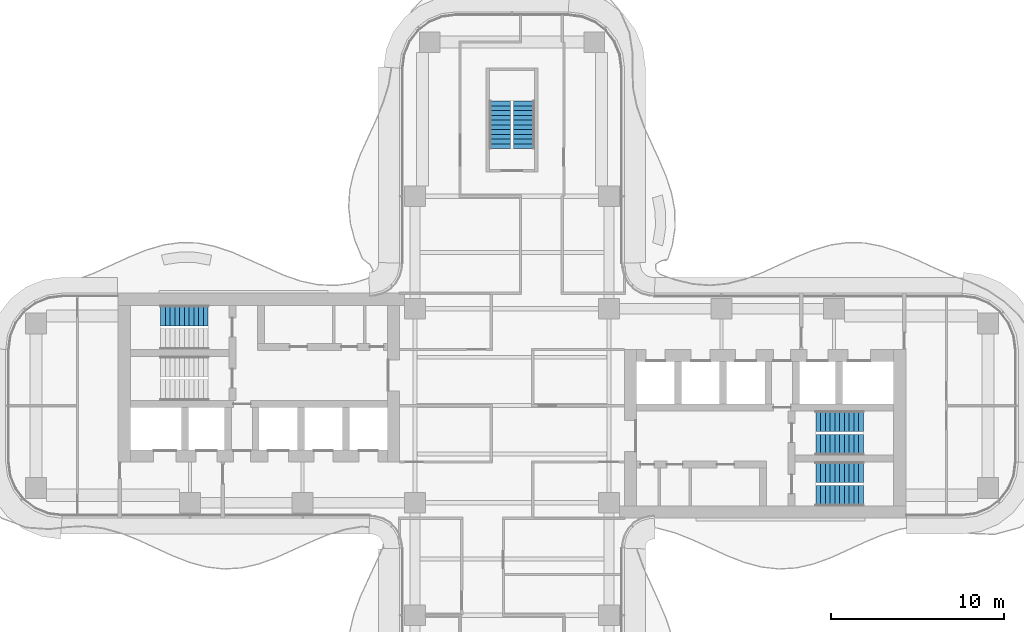
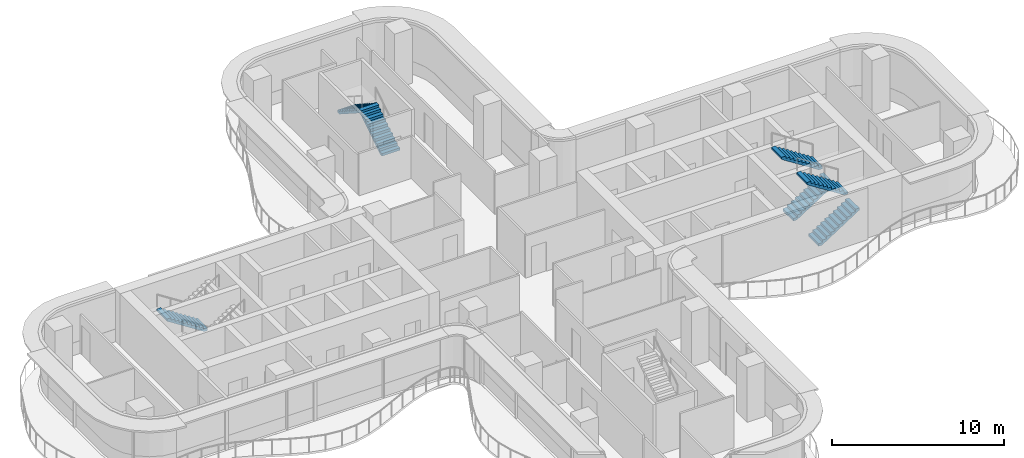
# One storey, part 16 of 18: 7 stair flights, 4 elements without a shape of their own.
"""IFC4 building model written with IfcOpenShell, lengths in metres."""

from ifc_helpers import new_model, si_unit, direction, frame, origin, place, context, subcontext, project, spatial, polyline, outline, extrude, source, transform, mapped, material, type_object, element, aggregate, save


model = new_model("IFC4")

# Units and contexts
model_context = context("Model", 3, precision=1e-05, world=origin(), true_north=direction((0.0, 1.0)))
body_context = subcontext(model_context, "Body", "Model", "MODEL_VIEW")
ifc_project = project(units=[si_unit("LENGTHUNIT", "METRE"), si_unit("AREAUNIT", "SQUARE_METRE"), si_unit("VOLUMEUNIT", "CUBIC_METRE"), si_unit("PLANEANGLEUNIT", "RADIAN"), si_unit("MASSUNIT", "GRAM", prefix="KILO")], contexts=[model_context])

# Site, building, storey
site_placement = place(None, origin())
site = spatial("IfcSite", under=ifc_project, at=site_placement, CompositionType="ELEMENT")
building_placement = place(site_placement, origin())
building = spatial("IfcBuilding", under=site, at=building_placement, Name="Trellis Farm Tower", CompositionType="ELEMENT")
storey_placement = place(building_placement, frame((0.0, 0.0, 189.300048828125)))
storey = spatial("IfcBuildingStorey", under=building, at=storey_placement, Name="L41", CompositionType="ELEMENT", Elevation=189.300048828125)

# Stair, stair flights
ifc_material = material(Name="Concrete C50/60", Category="concrete")
stair_type = type_object("IfcStairType", Name="CORE EXIT STAIR 22 RISERS 177 MM", PredefinedType="HALF_TURN_STAIR", material=ifc_material)
placement = place(storey_placement, origin())
stair_1 = element("IfcStair", 1, at=placement, inside=storey, type_object=stair_type, Name="Exit stair N", PredefinedType="HALF_TURN_STAIR")
stair_flight_type = type_object("IfcStairFlightType", Name="STAIR FLIGHT 11 RISERS 177 MM", PredefinedType="STRAIGHT", material=ifc_material)
shared_shape = source(origin(), body_context, "Body", "SweptSolid", [
    extrude(outline(polyline([(0.0, 0.0), (0.0, 0.17724609375), (0.27490234375, 0.17724609375), (0.27490234375, 0.3544921875), (0.550048828125, 0.3544921875), (0.550048828125, 0.53173828125), (0.824951171875, 0.53173828125), (0.824951171875, 0.708984375), (1.10009765625, 0.708984375), (1.10009765625, 0.886474609375), (1.375, 0.886474609375), (1.375, 1.063720703125), (1.64990234375, 1.063720703125), (1.64990234375, 1.240966796875), (1.925048828125, 1.240966796875), (1.925048828125, 1.418212890625), (2.199951171875, 1.418212890625), (2.199951171875, 1.595458984375), (2.47509765625, 1.595458984375), (2.47509765625, 1.772705078125), (2.75, 1.772705078125), (2.75, 1.949951171875), (2.75, 1.6181640625), (0.23974609375, 0.0), (0.0, 0.0)])), frame((0.0, 0.60009765625, 0.0), z_axis=(0.0, -1.0, 0.0), x_axis=(1.0, 0.0, 0.0)), (0.0, 0.0, 1.0), 1.199951171875),
])
stair_flight_1_placement = place(storey_placement, frame((0.699951171875, 14.85009765625, 0.0), z_axis=(0.0, 0.0, 1.0), x_axis=(0.0, 1.0, 0.0)))
stair_flight_1 = element("IfcStairFlight", 2, at=stair_flight_1_placement, type_object=stair_flight_type, Name="STN flight 1", NumberOfRisers=11, NumberOfTreads=10, PredefinedType="STRAIGHT", RiserHeight=0.177272727, TreadLength=0.275, context=body_context, shape_type="MappedRepresentation", body=[
    mapped(shared_shape, transform((0.0, 0.0, 0.0))),
])
stair_flight_2_placement = place(storey_placement, frame((-0.699951171875, 17.60009765625, 1.949951171875), z_axis=(0.0, 0.0, 1.0), x_axis=(0.0, -1.0, 0.0)))
stair_flight_2 = element("IfcStairFlight", 3, at=stair_flight_2_placement, type_object=stair_flight_type, Name="STN flight 2", NumberOfRisers=11, NumberOfTreads=10, PredefinedType="STRAIGHT", RiserHeight=0.177272727, TreadLength=0.275, context=body_context, shape_type="MappedRepresentation", body=[
    mapped(shared_shape, transform((0.0, 0.0, 0.0))),
])
aggregate(stair_1, [stair_flight_1, stair_flight_2])

stair_2 = element("IfcStair", 4, at=placement, inside=storey, type_object=stair_type, Name="Exit stair E1", PredefinedType="HALF_TURN_STAIR")
stair_flight_3_placement = place(storey_placement, frame((17.550048828125, -5.199951171875, 0.0), z_axis=(0.0, 0.0, 1.0), x_axis=(1.0, 0.0, 0.0)))
stair_flight_3 = element("IfcStairFlight", 5, at=stair_flight_3_placement, type_object=stair_flight_type, Name="STE1 flight 1", NumberOfRisers=11, NumberOfTreads=10, PredefinedType="STRAIGHT", RiserHeight=0.177272727, TreadLength=0.275, context=body_context, shape_type="MappedRepresentation", body=[
    mapped(shared_shape, transform((0.0, 0.0, 0.0))),
])
stair_flight_4_placement = place(storey_placement, frame((20.300048828125, -3.85009765625, 1.949951171875), z_axis=(0.0, 0.0, 1.0), x_axis=(-1.0, 0.0, 0.0)))
stair_flight_4 = element("IfcStairFlight", 6, at=stair_flight_4_placement, type_object=stair_flight_type, Name="STE1 flight 2", NumberOfRisers=11, NumberOfTreads=10, PredefinedType="STRAIGHT", RiserHeight=0.177272727, TreadLength=0.275, context=body_context, shape_type="MappedRepresentation", body=[
    mapped(shared_shape, transform((0.0, 0.0, 0.0))),
])
aggregate(stair_2, [stair_flight_3, stair_flight_4])

stair_3 = element("IfcStair", 7, at=placement, inside=storey, type_object=stair_type, Name="Exit stair E2", PredefinedType="HALF_TURN_STAIR")
stair_flight_5_placement = place(storey_placement, frame((17.550048828125, -2.25, 0.0), z_axis=(0.0, 0.0, 1.0), x_axis=(1.0, 0.0, 0.0)))
stair_flight_5 = element("IfcStairFlight", 8, at=stair_flight_5_placement, type_object=stair_flight_type, Name="STE2 flight 1", NumberOfRisers=11, NumberOfTreads=10, PredefinedType="STRAIGHT", RiserHeight=0.177272727, TreadLength=0.275, context=body_context, shape_type="MappedRepresentation", body=[
    mapped(shared_shape, transform((0.0, 0.0, 0.0))),
])
stair_flight_6_placement = place(storey_placement, frame((20.300048828125, -0.89990234375, 1.949951171875), z_axis=(0.0, 0.0, 1.0), x_axis=(-1.0, 0.0, 0.0)))
stair_flight_6 = element("IfcStairFlight", 9, at=stair_flight_6_placement, type_object=stair_flight_type, Name="STE2 flight 2", NumberOfRisers=11, NumberOfTreads=10, PredefinedType="STRAIGHT", RiserHeight=0.177272727, TreadLength=0.275, context=body_context, shape_type="MappedRepresentation", body=[
    mapped(shared_shape, transform((0.0, 0.0, 0.0))),
])
aggregate(stair_3, [stair_flight_5, stair_flight_6])

# Stair, stair flight
stair_4 = element("IfcStair", 10, at=placement, inside=storey, type_object=stair_type, Name="Exit stair W1", PredefinedType="HALF_TURN_STAIR")
stair_flight_7_placement = place(storey_placement, frame((-17.550048828125, 5.199951171875, 0.0), z_axis=(0.0, 0.0, 1.0), x_axis=(-1.0, 0.0, 0.0)))
stair_flight_7 = element("IfcStairFlight", 11, at=stair_flight_7_placement, type_object=stair_flight_type, Name="STW1 flight 1", NumberOfRisers=11, NumberOfTreads=10, PredefinedType="STRAIGHT", RiserHeight=0.177272727, TreadLength=0.275, context=body_context, shape_type="MappedRepresentation", body=[
    mapped(shared_shape, transform((0.0, 0.0, 0.0))),
])
aggregate(stair_4, [stair_flight_7])

save(model, "model.ifc")
